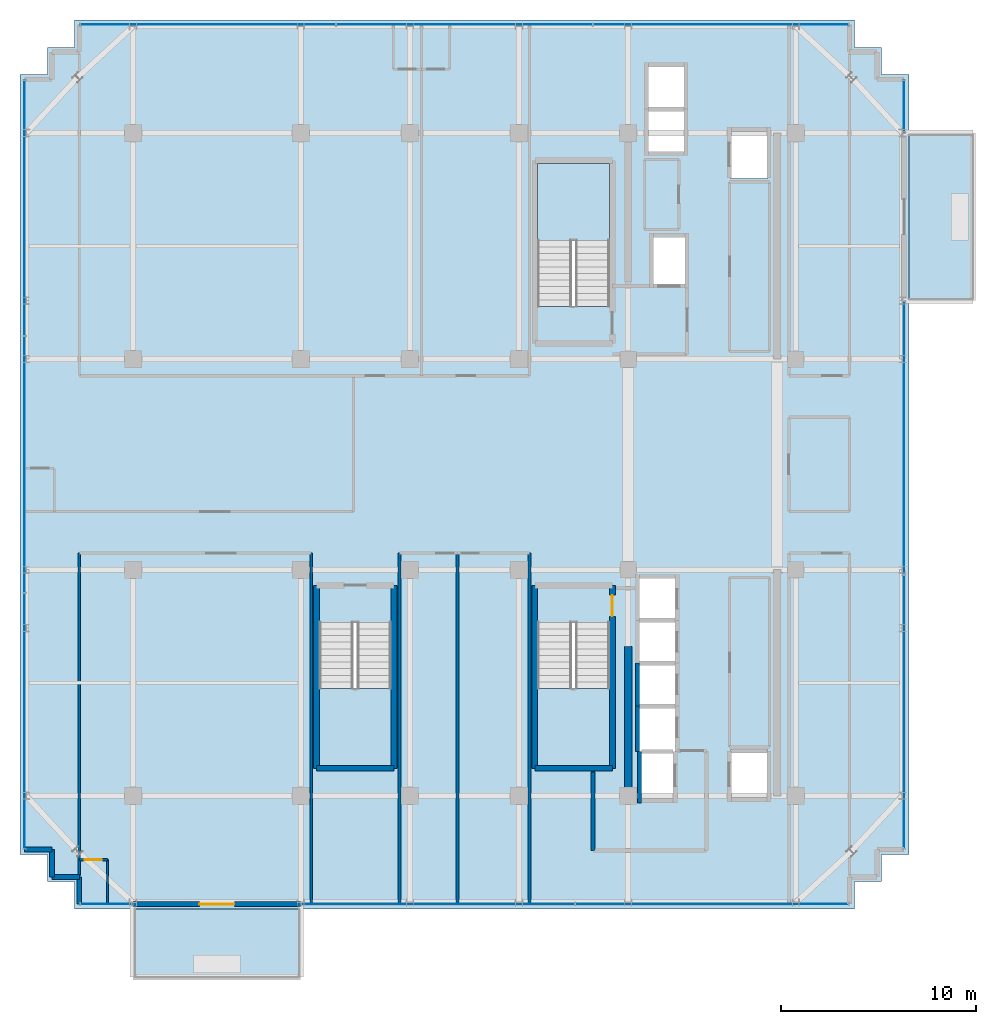
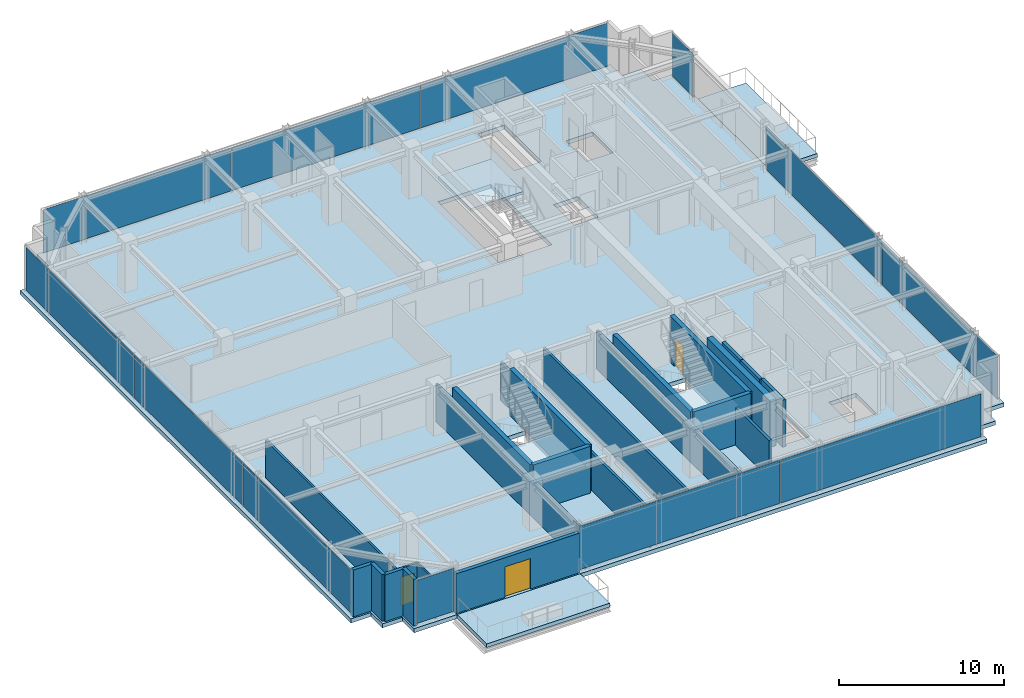
# One storey, part 26 of 32: 23 walls, 12 plates, 6 slabs, 3 doors, 3 openings, 9 elements without a shape of their own.
"""IFC4 building model written with IfcOpenShell, lengths in metres."""

import ifcopenshell
import ifcopenshell.guid

model = None  # the IFC model being written
_history = None  # IfcOwnerHistory: only IFC2X3 demands one
_inside = {}  # id of a spatial element -> (the spatial element, [elements in it])
_under = {}  # id of a project, library or spatial element -> (it, [spatial elements below it])
_declared = {}  # id of a project -> (the project, [libraries it declares])
_typed = {}  # id of a type object -> (the type object, [elements of that type])
_made_of = {}  # id of a material, layer set ... -> (it, [elements and type objects made of it])


def new_model(schema):
    """Start an empty IFC model of exactly this schema.

    Asked for "IFC4X3", IfcOpenShell would pick the latest addendum, in which some entities
    have other attributes; the version numbers below select the first issue.
    IFC2X3 requires an IfcOwnerHistory on every rooted entity: one is made here for all.
    """
    global model, _history
    if schema == "IFC4X3":
        model = ifcopenshell.file(schema_version=(4, 3, 0, 0))
    else:
        model = ifcopenshell.file(schema=schema)
    _inside.clear()
    _under.clear()
    _declared.clear()
    _typed.clear()
    _made_of.clear()
    _history = None
    if model.schema == "IFC2X3":
        org = make("IfcOrganization", Name="unknown")
        user = make(
            "IfcPersonAndOrganization",
            ThePerson=make("IfcPerson", FamilyName="unknown"),
            TheOrganization=org,
        )
        app = make(
            "IfcApplication",
            ApplicationDeveloper=org,
            Version="unknown",
            ApplicationFullName="unknown",
            ApplicationIdentifier="unknown",
        )
        _history = make(
            "IfcOwnerHistory",
            OwningUser=user,
            OwningApplication=app,
            ChangeAction="ADDED",
            CreationDate=0,
        )
    return model


def make(cls, **values):
    """One entity of the class cls with the attributes given. An attribute that is None is left unset."""
    return model.create_entity(
        cls, **{name: value for name, value in values.items() if value is not None}
    )


def rooted(cls, **values):
    """An entity with a GlobalId (a new one), such as an element, a storey or a relation."""
    return make(cls, GlobalId=ifcopenshell.guid.new(), OwnerHistory=_history, **values)


def si_unit(unit_type, name, prefix=None):
    """IfcSIUnit, for example si_unit("LENGTHUNIT", "METRE", prefix="MILLI")."""
    return make("IfcSIUnit", UnitType=unit_type, Prefix=prefix, Name=name)


def assignment(units):
    """IfcUnitAssignment: the units of a project."""
    return None if units is None else make("IfcUnitAssignment", Units=units)


def point(xyz):
    """IfcCartesianPoint."""
    return None if xyz is None else make("IfcCartesianPoint", Coordinates=xyz)


def direction(xyz):
    """IfcDirection."""
    return None if xyz is None else make("IfcDirection", DirectionRatios=xyz)


def frame(location, z_axis=None, x_axis=None):
    """IfcAxis2Placement3D, a coordinate frame: its origin and axes. An axis left out is left unset."""
    return make(
        "IfcAxis2Placement3D",
        Location=point(location),
        Axis=direction(z_axis),
        RefDirection=direction(x_axis),
    )


def frame_2d(location, x_axis=None):
    """IfcAxis2Placement2D, a coordinate frame in the plane: its origin and x axis."""
    return make(
        "IfcAxis2Placement2D", Location=point(location), RefDirection=direction(x_axis)
    )


def origin():
    """The frame at (0, 0, 0) with its axes left unset."""
    return frame((0.0, 0.0, 0.0))


def origin_2d():
    """The frame at (0, 0) in the plane with its x axis left unset."""
    return frame_2d((0.0, 0.0))


def place(relative_to, where):
    """IfcLocalPlacement: puts the frame where relative to a parent placement (None: the world)."""
    return make(
        "IfcLocalPlacement", PlacementRelTo=relative_to, RelativePlacement=where
    )


def context(
    kind, dimensions, precision=None, world=None, true_north=None, identifier=None
):
    """IfcGeometricRepresentationContext, for example the 3D "Model" context."""
    return make(
        "IfcGeometricRepresentationContext",
        ContextIdentifier=identifier,
        ContextType=kind,
        CoordinateSpaceDimension=dimensions,
        Precision=precision,
        WorldCoordinateSystem=world,
        TrueNorth=true_north,
    )


def subcontext(parent, identifier, kind, view, scale=None):
    """IfcGeometricRepresentationSubContext, for example "Body" below "Model"."""
    return make(
        "IfcGeometricRepresentationSubContext",
        ContextIdentifier=identifier,
        ContextType=kind,
        ParentContext=parent,
        TargetScale=scale,
        TargetView=view,
    )


def project(units=None, contexts=None):
    """IfcProject with its units and contexts."""
    return rooted(
        "IfcProject",
        Name="project",
        RepresentationContexts=contexts,
        UnitsInContext=assignment(units),
    )


def spatial(cls, under=None, at=None, **own):
    """A site, building, storey or space (cls), placed at a placement, below another one or the project."""
    s = rooted(cls, ObjectPlacement=at, **own)
    if under is not None:
        _under.setdefault(under.id(), (under, []))[1].append(s)
    return s


def polyline(points):
    """IfcPolyline through the points."""
    return make("IfcPolyline", Points=[point(p) for p in points])


def profile(cls, at=None, kind="AREA", **sizes):
    """A parametric profile (cls). Its sizes go by their IFC names, for example OverallWidth=200.0."""
    return make(cls, ProfileType=kind, Position=at, **sizes)


def rectangle(**sizes):
    """IfcRectangleProfileDef."""
    return profile("IfcRectangleProfileDef", **sizes)


def outline(outer, holes=None, kind="AREA"):
    """IfcArbitraryClosedProfileDef: a profile drawn as a closed curve; with holes, ...WithVoids."""
    if holes is None:
        return make("IfcArbitraryClosedProfileDef", ProfileType=kind, OuterCurve=outer)
    return make(
        "IfcArbitraryProfileDefWithVoids",
        ProfileType=kind,
        OuterCurve=outer,
        InnerCurves=holes,
    )


def extrude(swept, where, along, depth):
    """IfcExtrudedAreaSolid: the profile swept, set in the frame where, extruded along a direction by depth."""
    return make(
        "IfcExtrudedAreaSolid",
        SweptArea=swept,
        Position=where,
        ExtrudedDirection=direction(along),
        Depth=depth,
    )


def shape(context_of_items, identifier, shape_type, items):
    """IfcShapeRepresentation: the items that make up one representation, for example the "Body"."""
    return make(
        "IfcShapeRepresentation",
        ContextOfItems=context_of_items,
        RepresentationIdentifier=identifier,
        RepresentationType=shape_type,
        Items=items,
    )


def source(mapping_origin, context_of_items, identifier, shape_type, items):
    """IfcRepresentationMap: a shape defined once, which mapped items show again and again."""
    return make(
        "IfcRepresentationMap",
        MappingOrigin=mapping_origin,
        MappedRepresentation=shape(context_of_items, identifier, shape_type, items),
    )


def transform(
    local_origin,
    x_axis=None,
    y_axis=None,
    z_axis=None,
    scale=None,
    scale2=None,
    scale3=None,
    uniform=True,
):
    """IfcCartesianTransformationOperator3D, or its non-uniform kind. x_axis, y_axis, z_axis: its Axis1, 2, 3."""
    if uniform:
        return make(
            "IfcCartesianTransformationOperator3D",
            Axis1=direction(x_axis),
            Axis2=direction(y_axis),
            LocalOrigin=point(local_origin),
            Scale=scale,
            Axis3=direction(z_axis),
        )
    return make(
        "IfcCartesianTransformationOperator3DnonUniform",
        Axis1=direction(x_axis),
        Axis2=direction(y_axis),
        LocalOrigin=point(local_origin),
        Scale=scale,
        Axis3=direction(z_axis),
        Scale2=scale2,
        Scale3=scale3,
    )


def mapped(mapping_source, mapping_target):
    """IfcMappedItem: shows the shape of a source again, moved by a transform."""
    return make(
        "IfcMappedItem", MappingSource=mapping_source, MappingTarget=mapping_target
    )


def material(Name=None, Category=None):
    """IfcMaterial."""
    return make("IfcMaterial", Name=Name, Category=Category)


def layer(
    of_material, thickness, ventilated=None, Name=None, Category=None, Priority=None
):
    """IfcMaterialLayer: one layer of a wall or slab, of a material (None: an air gap)."""
    return make(
        "IfcMaterialLayer",
        Material=of_material,
        LayerThickness=thickness,
        IsVentilated=ventilated,
        Name=Name,
        Category=Category,
        Priority=Priority,
    )


def layer_set(layers, Name=None):
    """IfcMaterialLayerSet."""
    return make("IfcMaterialLayerSet", MaterialLayers=layers, LayerSetName=Name)


def made_of(thing, what):
    """Note that an element or type object is made of a material, layer set ...; save() writes the relation."""
    if what is not None:
        _made_of.setdefault(what.id(), (what, []))[1].append(thing)
    return thing


def type_object(cls, material=None, **own):
    """A type object (cls), such as IfcWallType, which elements share."""
    return made_of(rooted(cls, **own), material)


def element(
    cls,
    number,
    at=None,
    inside=None,
    cuts=None,
    type_object=None,
    material=None,
    context=None,
    identifier="Body",
    shape_type=None,
    held_by="IfcProductDefinitionShape",
    body=None,
    shapes=None,
    **own,
):
    """One element of the class cls, such as IfcWall. Its Tag is "e" and its number.

    at: its placement. inside: the storey or other place that contains it. cuts: it is an
    opening in that element (IfcRelVoidsElement). A single representation is given by context,
    identifier, shape_type and body (its items); several are given by shapes. held_by: the class
    of the entity that holds the representations. save() writes the other relations.
    """
    e = rooted(cls, Tag="e%d" % number, ObjectPlacement=at, **own)
    if body is not None:
        shapes = [shape(context, identifier, shape_type, body)]
    if shapes is not None:
        e.Representation = make(held_by, Representations=shapes)
    if inside is not None:
        _inside.setdefault(inside.id(), (inside, []))[1].append(e)
    if cuts is not None:
        rooted(
            "IfcRelVoidsElement", RelatingBuildingElement=cuts, RelatedOpeningElement=e
        )
    if type_object is not None:
        _typed.setdefault(type_object.id(), (type_object, []))[1].append(e)
    return made_of(e, material)


def fill(opening, filler):
    """IfcRelFillsElement: the door or window that sits in an opening."""
    return rooted(
        "IfcRelFillsElement",
        RelatingOpeningElement=opening,
        RelatedBuildingElement=filler,
    )


def aggregate(whole, parts):
    """IfcRelAggregates: a whole, such as a stair, and the parts it consists of."""
    return rooted("IfcRelAggregates", RelatingObject=whole, RelatedObjects=parts)


def save(model, path):
    """Write the relations noted so far, then the file.

    IfcRelAggregates (storeys below a building ...), IfcRelContainedInSpatialStructure (elements
    in a storey), IfcRelDefinesByType, IfcRelAssociatesMaterial and IfcRelDeclares: one each for
    every whole, place, type object, material and project.
    """
    for whole, parts in _under.values():
        aggregate(whole, parts)
    for where, things in _inside.values():
        rooted(
            "IfcRelContainedInSpatialStructure",
            RelatedElements=things,
            RelatingStructure=where,
        )
    for kind, things in _typed.values():
        rooted("IfcRelDefinesByType", RelatedObjects=things, RelatingType=kind)
    for what, things in _made_of.values():
        rooted("IfcRelAssociatesMaterial", RelatedObjects=things, RelatingMaterial=what)
    for by, libraries in _declared.values():
        rooted("IfcRelDeclares", RelatingContext=by, RelatedDefinitions=libraries)
    model.write(path)


model = new_model("IFC4")

# Units and contexts
model_context = context("Model", 3, precision=1e-05, world=origin(), true_north=direction((0.0, 1.0)))
body_context = subcontext(model_context, "Body", "Model", "MODEL_VIEW")
ifc_project = project(units=[si_unit("LENGTHUNIT", "METRE"), si_unit("AREAUNIT", "SQUARE_METRE"), si_unit("VOLUMEUNIT", "CUBIC_METRE"), si_unit("PLANEANGLEUNIT", "RADIAN"), si_unit("MASSUNIT", "GRAM", prefix="KILO")], contexts=[model_context])

# Site, building, storey
site_placement = place(None, origin())
site = spatial("IfcSite", under=ifc_project, at=site_placement, CompositionType="ELEMENT")
building_placement = place(site_placement, origin())
building = spatial("IfcBuilding", under=site, at=building_placement, Name="Nahalor Promenade Grand Hotel", CompositionType="ELEMENT")
storey_placement = place(building_placement, frame((0.0, 0.0, 285.050048828125)))
storey = spatial("IfcBuildingStorey", under=building, at=storey_placement, Name="L73", CompositionType="ELEMENT", Elevation=285.050048828125)

# Stair, slab
ifc_material_1 = material(Name="Concrete B-50 (C40/50)", Category="concrete")
stair_type_1 = type_object("IfcStairType", Name="Stair-ST1", PredefinedType="HALF_TURN_STAIR", material=ifc_material_1)
stair_1_placement = place(storey_placement, origin())
stair_1 = element("IfcStair", 1, at=stair_1_placement, inside=storey, type_object=stair_type_1, Name="L73 ST1", PredefinedType="HALF_TURN_STAIR")
ifc_layer_1 = layer(ifc_material_1, 0.199951171875)
ifc_layer_set_1 = layer_set([ifc_layer_1], Name="Concrete B-50 (C40/50)")
slab_type_1 = type_object("IfcSlabType", Name="Landing-ST1", PredefinedType="LANDING", material=ifc_layer_set_1)
slab_1_placement = place(storey_placement, frame((0.0, 0.0, 1.675048828125)))
slab_1 = element("IfcSlab", 2, at=slab_1_placement, type_object=slab_type_1, Name="ST1 landing 1", PredefinedType="LANDING", context=body_context, shape_type="SweptSolid", body=[
    extrude(outline(polyline([(7.449951171875, 11.5), (7.449951171875, 15.449951171875), (3.75, 15.449951171875), (3.75, 11.5), (7.449951171875, 11.5)])), origin(), (0.0, 0.0, 1.0), 0.199951171875),
])
aggregate(stair_1, [slab_1])

stair_type_2 = type_object("IfcStairType", Name="Stair-ST2", PredefinedType="HALF_TURN_STAIR", material=ifc_material_1)
stair_2_placement = place(storey_placement, origin())
stair_2 = element("IfcStair", 3, at=stair_2_placement, inside=storey, type_object=stair_type_2, Name="L73 ST2", PredefinedType="HALF_TURN_STAIR")
ifc_layer_2 = layer(ifc_material_1, 0.2099609375)
ifc_layer_set_2 = layer_set([ifc_layer_2], Name="Concrete B-50 (C40/50)")
slab_type_2 = type_object("IfcSlabType", Name="Landing-ST2", PredefinedType="LANDING", material=ifc_layer_set_2)
slab_2_placement = place(storey_placement, frame((0.0, 0.0, 1.6650390625)))
slab_2 = element("IfcSlab", 4, at=slab_2_placement, type_object=slab_type_2, Name="ST2 landing 1", PredefinedType="LANDING", context=body_context, shape_type="SweptSolid", body=[
    extrude(outline(polyline([(3.75, -11.5), (3.75, -15.449951171875), (7.449951171875, -15.449951171875), (7.449951171875, -11.5), (3.75, -11.5)])), origin(), (0.0, 0.0, 1.0), 0.2099609375),
])
aggregate(stair_2, [slab_2])

stair_type_3 = type_object("IfcStairType", Name="Stair-ST3", PredefinedType="HALF_TURN_STAIR", material=ifc_material_1)
stair_3_placement = place(storey_placement, origin())
stair_3 = element("IfcStair", 5, at=stair_3_placement, inside=storey, type_object=stair_type_3, Name="L73 ST3", PredefinedType="HALF_TURN_STAIR")
ifc_layer_3 = layer(ifc_material_1, 0.219970703125)
ifc_layer_set_3 = layer_set([ifc_layer_3], Name="Concrete B-50 (C40/50)")
slab_type_3 = type_object("IfcSlabType", Name="Landing-ST3", PredefinedType="LANDING", material=ifc_layer_set_3)
slab_3_placement = place(storey_placement, frame((0.0, 0.0, 1.655029296875)))
slab_3 = element("IfcSlab", 6, at=slab_3_placement, type_object=slab_type_3, Name="ST3 landing 1", PredefinedType="LANDING", context=body_context, shape_type="SweptSolid", body=[
    extrude(outline(polyline([(-7.449951171875, -11.5), (-7.449951171875, -15.449951171875), (-3.75, -15.449951171875), (-3.75, -11.5), (-7.449951171875, -11.5)])), origin(), (0.0, 0.0, 1.0), 0.219970703125),
])
aggregate(stair_3, [slab_3])

# Slabs
ifc_layer_4 = layer(ifc_material_1, 0.280029296875)
ifc_layer_set_4 = layer_set([ifc_layer_4], Name="Concrete B-50 (C40/50)")
slab_type_4 = type_object("IfcSlabType", Name="Slab-Balcony-280", PredefinedType="FLOOR", material=ifc_layer_set_4)
slab_4_placement = place(storey_placement, frame((0.0, 0.0, -0.280029296875)))
element("IfcSlab", 7, at=slab_4_placement, inside=storey, type_object=slab_type_4, Name="L73 Cantilevered Planted Balcony 1", PredefinedType="FLOOR", context=body_context, shape_type="SweptSolid", body=[
    extrude(outline(polyline([(-17.0, -26.3798828125), (-8.39990234375, -26.3798828125), (-8.39990234375, -22.800048828125), (-17.0, -22.800048828125), (-17.0, -26.3798828125)])), origin(), (0.0, 0.0, 1.0), 0.280029296875),
])
slab_5_placement = place(storey_placement, frame((0.0, 0.0, -0.280029296875)))
element("IfcSlab", 8, at=slab_5_placement, inside=storey, type_object=slab_type_4, Name="L73 Cantilevered Planted Balcony 2", PredefinedType="FLOOR", context=body_context, shape_type="SweptSolid", body=[
    extrude(outline(polyline([(22.800048828125, 8.39990234375), (26.159912109375, 8.39990234375), (26.159912109375, 17.0), (22.800048828125, 17.0), (22.800048828125, 8.39990234375)])), origin(), (0.0, 0.0, 1.0), 0.280029296875),
])
ifc_layer_5 = layer(ifc_material_1, 0.300048828125)
ifc_layer_set_5 = layer_set([ifc_layer_5], Name="Concrete B-50 (C40/50)")
slab_type_5 = type_object("IfcSlabType", Name="Slab-TowerZ5-300", PredefinedType="FLOOR", material=ifc_layer_set_5)
slab_6_placement = place(storey_placement, frame((0.0, 0.0, -0.300048828125)))
element("IfcSlab", 9, at=slab_6_placement, inside=storey, type_object=slab_type_5, Name="L73 Suspended Structural Floor Slab", PredefinedType="FLOOR", context=body_context, shape_type="SweptSolid", body=[
    extrude(outline(polyline([(-20.0, -22.800048828125), (20.0, -22.800048828125), (20.0, -21.39990234375), (21.39990234375, -21.39990234375), (21.39990234375, -20.0), (22.800048828125, -20.0), (22.800048828125, 20.0), (21.39990234375, 20.0), (21.39990234375, 21.39990234375), (20.0, 21.39990234375), (20.0, 22.800048828125), (-20.0, 22.800048828125), (-20.0, 21.39990234375), (-21.39990234375, 21.39990234375), (-21.39990234375, 20.0), (-22.800048828125, 20.0), (-22.800048828125, -20.0), (-21.39990234375, -20.0), (-21.39990234375, -21.39990234375), (-20.0, -21.39990234375), (-20.0, -22.800048828125)]), holes=[polyline([(3.75, 8.10009765625), (7.449951171875, 8.10009765625), (7.449951171875, 15.449951171875), (3.75, 15.449951171875), (3.75, 8.10009765625)]), polyline([(3.75, -15.449951171875), (7.449951171875, -15.449951171875), (7.449951171875, -8.10009765625), (3.75, -8.10009765625), (3.75, -15.449951171875)]), polyline([(-7.449951171875, -15.449951171875), (-3.75, -15.449951171875), (-3.75, -8.10009765625), (-7.449951171875, -8.10009765625), (-7.449951171875, -15.449951171875)]), polyline([(8.9599609375, -17.18994140625), (10.840087890625, -17.18994140625), (10.840087890625, -5.81005859375), (8.9599609375, -5.81005859375), (8.9599609375, -17.18994140625)]), polyline([(9.409912109375, 16.010009765625), (11.2900390625, 16.010009765625), (11.2900390625, 20.43994140625), (9.409912109375, 20.43994140625), (9.409912109375, 16.010009765625)]), polyline([(9.659912109375, 9.2099609375), (11.340087890625, 9.2099609375), (11.340087890625, 11.68994140625), (9.659912109375, 11.68994140625), (9.659912109375, 9.2099609375)]), polyline([(13.659912109375, 14.659912109375), (15.5400390625, 14.659912109375), (15.5400390625, 17.139892578125), (13.659912109375, 17.139892578125), (13.659912109375, 14.659912109375)]), polyline([(13.659912109375, -17.139892578125), (15.5400390625, -17.139892578125), (15.5400390625, -14.659912109375), (13.659912109375, -14.659912109375), (13.659912109375, -17.139892578125)])]), origin(), (0.0, 0.0, 1.0), 0.300048828125),
])

# Curtain wall, plate
ifc_material_2 = material(Name="Anodised Bronze Aluminium EN AW-6063 T6", Category="aluminium")
curtain_wall_type = type_object("IfcCurtainWallType", Name="CW2 Typical Hotel Flush Bronze Unitised Curtain Wall", PredefinedType="USERDEFINED", material=ifc_material_2)
curtain_wall_1_placement = place(storey_placement, origin())
curtain_wall_1 = element("IfcCurtainWall", 10, at=curtain_wall_1_placement, inside=storey, type_object=curtain_wall_type, Name="L73 Curtain Wall CW-L73-N-1", ObjectType="UNITISED_CURTAIN_WALL", PredefinedType="USERDEFINED")
ifc_material_3 = material(Name="Low-E Laminated Solar Glass", Category="glass")
ifc_layer_6 = layer(ifc_material_3, 0.028076171875)
ifc_layer_set_6 = layer_set([ifc_layer_6], Name="Low-E Laminated Solar Glass")
plate_type = type_object("IfcPlateType", Name="CWP2 Bronze Low-E Vision IGU 28mm", PredefinedType="CURTAIN_PANEL", material=ifc_layer_set_6)
shared_shape_1 = source(origin(), body_context, "Body", "SweptSolid", [
    extrude(rectangle(XDim=13.1083984375, YDim=0.028076171875, at=origin_2d()), origin(), (0.0, 0.0, 1.0), 3.18994140625),
])
plate_1_placement = place(storey_placement, frame((0.0, 22.56005859375, 0.1298828125), z_axis=(0.0, 0.0, 1.0), x_axis=(1.0, 0.0, 0.0)))
plate_1 = element("IfcPlate", 11, at=plate_1_placement, type_object=plate_type, Name="CW-L73-N-1 Glazing Panel 1-0", PredefinedType="CURTAIN_PANEL", context=body_context, shape_type="MappedRepresentation", body=[
    mapped(shared_shape_1, transform((0.0, 0.0, 0.0), scale=1.0)),
])

curtain_wall_2_placement = place(storey_placement, origin())
curtain_wall_2 = element("IfcCurtainWall", 12, at=curtain_wall_2_placement, inside=storey, type_object=curtain_wall_type, Name="L73 Curtain Wall CW-L73-W-1", ObjectType="UNITISED_CURTAIN_WALL", PredefinedType="USERDEFINED")
plate_2_placement = place(storey_placement, frame((-22.56005859375, 0.0, 0.1298828125), z_axis=(0.0, 0.0, 1.0), x_axis=(0.0, 1.0, 0.0)))
plate_2 = element("IfcPlate", 13, at=plate_2_placement, type_object=plate_type, Name="CW-L73-W-1 Glazing Panel 1-0", PredefinedType="CURTAIN_PANEL", context=body_context, shape_type="MappedRepresentation", body=[
    mapped(shared_shape_1, transform((0.0, 0.0, 0.0), scale=1.0)),
])

curtain_wall_3_placement = place(storey_placement, origin())
curtain_wall_3 = element("IfcCurtainWall", 14, at=curtain_wall_3_placement, inside=storey, type_object=curtain_wall_type, Name="L73 Curtain Wall CW-L73-S-1", ObjectType="UNITISED_CURTAIN_WALL", PredefinedType="USERDEFINED")
shared_shape_2 = source(origin(), body_context, "Body", "SweptSolid", [
    extrude(rectangle(XDim=2.6298828125, YDim=0.028076171875, at=origin_2d()), origin(), (0.0, 0.0, 1.0), 3.18994140625),
])
plate_3_placement = place(storey_placement, frame((-18.3798828125, -22.56005859375, 0.1298828125), z_axis=(0.0, 0.0, 1.0), x_axis=(1.0, 0.0, 0.0)))
plate_3 = element("IfcPlate", 15, at=plate_3_placement, type_object=plate_type, Name="CW-L73-S-1 Glazing Panel 0-0", PredefinedType="CURTAIN_PANEL", context=body_context, shape_type="MappedRepresentation", body=[
    mapped(shared_shape_2, transform((0.0, 0.0, 0.0), scale=1.0)),
])
aggregate(curtain_wall_3, [plate_3])

curtain_wall_4_placement = place(storey_placement, origin())
curtain_wall_4 = element("IfcCurtainWall", 16, at=curtain_wall_4_placement, inside=storey, type_object=curtain_wall_type, Name="L73 Curtain Wall CW-L73-E-3", ObjectType="UNITISED_CURTAIN_WALL", PredefinedType="USERDEFINED")
plate_4_placement = place(storey_placement, frame((22.56005859375, 18.3798828125, 0.1298828125), z_axis=(0.0, 0.0, 1.0), x_axis=(0.0, 1.0, 0.0)))
plate_4 = element("IfcPlate", 17, at=plate_4_placement, type_object=plate_type, Name="CW-L73-E-3 Glazing Panel 0-0", PredefinedType="CURTAIN_PANEL", context=body_context, shape_type="MappedRepresentation", body=[
    mapped(shared_shape_2, transform((0.0, 0.0, 0.0), scale=1.0)),
])
aggregate(curtain_wall_4, [plate_4])

# Curtain wall, plates
curtain_wall_5_placement = place(storey_placement, origin())
curtain_wall_5 = element("IfcCurtainWall", 18, at=curtain_wall_5_placement, inside=storey, type_object=curtain_wall_type, Name="L73 Curtain Wall CW-L73-S-3", ObjectType="UNITISED_CURTAIN_WALL", PredefinedType="USERDEFINED")
shared_shape_3 = source(origin(), body_context, "Body", "SweptSolid", [
    extrude(rectangle(XDim=13.982421875, YDim=0.028076171875, at=origin_2d()), origin(), (0.0, 0.0, 1.0), 3.18994140625),
])
plate_5_placement = place(storey_placement, frame((-1.34375, -22.56005859375, 0.1298828125), z_axis=(0.0, 0.0, 1.0), x_axis=(1.0, 0.0, 0.0)))
plate_5 = element("IfcPlate", 19, at=plate_5_placement, type_object=plate_type, Name="CW-L73-S-3 Glazing Panel 0-0", PredefinedType="CURTAIN_PANEL", context=body_context, shape_type="MappedRepresentation", body=[
    mapped(shared_shape_3, transform((0.0, 0.0, 0.0), scale=1.0)),
])
plate_6_placement = place(storey_placement, frame((12.703857421875, -22.56005859375, 0.1298828125), z_axis=(0.0, 0.0, 1.0), x_axis=(1.0, 0.0, 0.0)))
plate_6 = element("IfcPlate", 20, at=plate_6_placement, type_object=plate_type, Name="CW-L73-S-3 Glazing Panel 1-0", PredefinedType="CURTAIN_PANEL", context=body_context, shape_type="MappedRepresentation", body=[
    mapped(shared_shape_3, transform((0.0, 0.0, 0.0), scale=1.0)),
])
aggregate(curtain_wall_5, [plate_5, plate_6])

curtain_wall_6_placement = place(storey_placement, origin())
curtain_wall_6 = element("IfcCurtainWall", 21, at=curtain_wall_6_placement, inside=storey, type_object=curtain_wall_type, Name="L73 Curtain Wall CW-L73-E-1", ObjectType="UNITISED_CURTAIN_WALL", PredefinedType="USERDEFINED")
plate_7_placement = place(storey_placement, frame((22.56005859375, -12.703857421875, 0.1298828125), z_axis=(0.0, 0.0, 1.0), x_axis=(0.0, 1.0, 0.0)))
plate_7 = element("IfcPlate", 22, at=plate_7_placement, type_object=plate_type, Name="CW-L73-E-1 Glazing Panel 0-0", PredefinedType="CURTAIN_PANEL", context=body_context, shape_type="MappedRepresentation", body=[
    mapped(shared_shape_3, transform((0.0, 0.0, 0.0), scale=1.0)),
])
plate_8_placement = place(storey_placement, frame((22.56005859375, 1.34375, 0.1298828125), z_axis=(0.0, 0.0, 1.0), x_axis=(0.0, 1.0, 0.0)))
plate_8 = element("IfcPlate", 23, at=plate_8_placement, type_object=plate_type, Name="CW-L73-E-1 Glazing Panel 1-0", PredefinedType="CURTAIN_PANEL", context=body_context, shape_type="MappedRepresentation", body=[
    mapped(shared_shape_3, transform((0.0, 0.0, 0.0), scale=1.0)),
])
aggregate(curtain_wall_6, [plate_7, plate_8])

# Plate
shared_shape_4 = source(origin(), body_context, "Body", "SweptSolid", [
    extrude(rectangle(XDim=13.075927734375, YDim=0.028076171875, at=origin_2d()), origin(), (0.0, 0.0, 1.0), 3.18994140625),
])
plate_9_placement = place(storey_placement, frame((-13.156982421875, 22.56005859375, 0.1298828125), z_axis=(0.0, 0.0, 1.0), x_axis=(1.0, 0.0, 0.0)))
plate_9 = element("IfcPlate", 24, at=plate_9_placement, type_object=plate_type, Name="CW-L73-N-1 Glazing Panel 0-0", PredefinedType="CURTAIN_PANEL", context=body_context, shape_type="MappedRepresentation", body=[
    mapped(shared_shape_4, transform((0.0, 0.0, 0.0), scale=1.0)),
])

plate_10_placement = place(storey_placement, frame((13.156982421875, 22.56005859375, 0.1298828125), z_axis=(0.0, 0.0, 1.0), x_axis=(1.0, 0.0, 0.0)))
plate_10 = element("IfcPlate", 25, at=plate_10_placement, type_object=plate_type, Name="CW-L73-N-1 Glazing Panel 2-0", PredefinedType="CURTAIN_PANEL", context=body_context, shape_type="MappedRepresentation", body=[
    mapped(shared_shape_4, transform((0.0, 0.0, 0.0), scale=1.0)),
])

aggregate(curtain_wall_1, [plate_9, plate_1, plate_10])

plate_11_placement = place(storey_placement, frame((-22.56005859375, -13.156982421875, 0.1298828125), z_axis=(0.0, 0.0, 1.0), x_axis=(0.0, 1.0, 0.0)))
plate_11 = element("IfcPlate", 26, at=plate_11_placement, type_object=plate_type, Name="CW-L73-W-1 Glazing Panel 0-0", PredefinedType="CURTAIN_PANEL", context=body_context, shape_type="MappedRepresentation", body=[
    mapped(shared_shape_4, transform((0.0, 0.0, 0.0), scale=1.0)),
])

plate_12_placement = place(storey_placement, frame((-22.56005859375, 13.156982421875, 0.1298828125), z_axis=(0.0, 0.0, 1.0), x_axis=(0.0, 1.0, 0.0)))
plate_12 = element("IfcPlate", 27, at=plate_12_placement, type_object=plate_type, Name="CW-L73-W-1 Glazing Panel 2-0", PredefinedType="CURTAIN_PANEL", context=body_context, shape_type="MappedRepresentation", body=[
    mapped(shared_shape_4, transform((0.0, 0.0, 0.0), scale=1.0)),
])

aggregate(curtain_wall_2, [plate_11, plate_2, plate_12])

# Walls
ifc_layer_7 = layer(ifc_material_1, 0.39990234375)
ifc_layer_set_7 = layer_set([ifc_layer_7], Name="Concrete B-50 (C40/50)")
wall_type_1 = type_object("IfcWallType", Name="Wall-CoreShear-400", PredefinedType="SHEAR", material=ifc_layer_set_7)
shared_shape_5 = source(origin(), body_context, "Body", "SweptSolid", [
    extrude(rectangle(XDim=7.64990234375, YDim=0.39990234375, at=frame_2d((3.824951171875, 0.0))), origin(), (0.0, 0.0, 1.0), 3.449951171875),
])
wall_1_placement = place(storey_placement, frame((8.39990234375, -17.0, 0.0), z_axis=(0.0, 0.0, 1.0), x_axis=(0.0, 1.0, 0.0)))
element("IfcWall", 28, at=wall_1_placement, inside=storey, type_object=wall_type_1, Name="CWALL-L73-SW", PredefinedType="SHEAR", context=body_context, shape_type="MappedRepresentation", body=[
    mapped(shared_shape_5, transform((0.0, 0.0, 0.0), scale=1.0)),
])
ifc_layer_8 = layer(ifc_material_1, 0.300048828125)
ifc_layer_set_8 = layer_set([ifc_layer_8], Name="Concrete B-50 (C40/50)")
wall_type_2 = type_object("IfcWallType", Name="Wall-ShaftShear-300", PredefinedType="SHEAR", material=ifc_layer_set_8)
shared_shape_6 = source(origin(), body_context, "Body", "SweptSolid", [
    extrude(rectangle(XDim=3.97998046875, YDim=0.300048828125, at=frame_2d((1.989990234375, 0.0))), origin(), (0.0, 0.0, 1.0), 3.449951171875),
])
for number, where, z_axis, x_axis, name in (
    (29, (3.610107421875, -15.590087890625, 0.0), (0.0, 0.0, 1.0), (1.0, 0.0, 0.0), "L73 Exit Stair ST2 Shaft Wall S"),
    (30, (-7.590087890625, -15.590087890625, 0.0), (0.0, 0.0, 1.0), (1.0, 0.0, 0.0), "L73 Exit Stair ST3 Shaft Wall S"),
):
    element("IfcWall", number, at=place(storey_placement, frame(where, z_axis=z_axis, x_axis=x_axis)), inside=storey, type_object=wall_type_2, Name=name, PredefinedType="SHEAR", context=body_context, shape_type="MappedRepresentation", body=[
        mapped(shared_shape_6, transform((0.0, 0.0, 0.0), scale=1.0)),
    ])
shared_shape_7 = source(origin(), body_context, "Body", "SweptSolid", [
    extrude(rectangle(XDim=9.380126953125, YDim=0.300048828125, at=frame_2d((4.68994140625, 0.0))), origin(), (0.0, 0.0, 1.0), 3.449951171875),
])
wall_2_placement = place(storey_placement, frame((3.610107421875, -15.590087890625, 0.0), z_axis=(0.0, 0.0, 1.0), x_axis=(0.0, 1.0, 0.0)))
element("IfcWall", 31, at=wall_2_placement, inside=storey, type_object=wall_type_2, Name="L73 Exit Stair ST2 Shaft Wall W", PredefinedType="SHEAR", context=body_context, shape_type="MappedRepresentation", body=[
    mapped(shared_shape_7, transform((0.0, 0.0, 0.0), scale=1.0)),
])

# Wall, opening, door
wall_3_placement = place(storey_placement, frame((7.590087890625, -15.590087890625, 0.0), z_axis=(0.0, 0.0, 1.0), x_axis=(0.0, 1.0, 0.0)))
wall_3 = element("IfcWall", 32, at=wall_3_placement, inside=storey, type_object=wall_type_2, Name="L73 Exit Stair ST2 Shaft Wall E", PredefinedType="SHEAR", context=body_context, shape_type="MappedRepresentation", body=[
    mapped(shared_shape_7, transform((0.0, 0.0, 0.0), scale=1.0)),
])
opening_1_placement = place(wall_3_placement, frame((7.7900390625, 0.0, 0.0)))
opening_1 = element("IfcOpeningElement", 33, at=opening_1_placement, cuts=wall_3, Name="Opening D-ST1", PredefinedType="OPENING", context=body_context, shape_type="SweptSolid", body=[
    extrude(rectangle(XDim=1.10009765625, YDim=2.14990234375, at=frame_2d((0.550048828125, 1.074951171875))), frame((0.0, 0.159912109375, 0.0), z_axis=(0.0, -1.0, 0.0), x_axis=(1.0, 0.0, 0.0)), (0.0, 0.0, 1.0), 0.320068359375),
])
ifc_material_4 = material(Name="Steel S355JR", Category="steel")
door_type_1 = type_object("IfcDoorType", Name="Door-StairFire-1100", OperationType="NOTDEFINED", PredefinedType="DOOR", material=ifc_material_4)
shared_shape_8 = source(origin(), body_context, "Body", "SweptSolid", [
    extrude(rectangle(XDim=1.10009765625, YDim=2.14990234375, at=frame_2d((0.550048828125, 1.074951171875))), frame((0.0, 0.02490234375, 0.0), z_axis=(0.0, -1.0, 0.0), x_axis=(1.0, 0.0, 0.0)), (0.0, 0.0, 1.0), 0.050048828125),
])
door_1_placement = place(opening_1_placement, origin())
door_1 = element("IfcDoor", 34, at=door_1_placement, inside=storey, type_object=door_type_1, Name="DR-STAIR-ST2-L73", OperationType="SINGLE_SWING_RIGHT", OverallHeight=2.14990234375, OverallWidth=1.10009765625, PredefinedType="DOOR", context=body_context, shape_type="MappedRepresentation", body=[
    mapped(shared_shape_8, transform((0.0, 0.0, 0.0), scale=1.0)),
])
fill(opening_1, door_1)

# Walls
for number, where, z_axis, x_axis, name in (
    (35, (-7.590087890625, -15.590087890625, 0.0), (0.0, 0.0, 1.0), (0.0, 1.0, 0.0), "L73 Exit Stair ST3 Shaft Wall W"),
    (36, (-3.610107421875, -15.590087890625, 0.0), (0.0, 0.0, 1.0), (0.0, 1.0, 0.0), "L73 Exit Stair ST3 Shaft Wall E"),
):
    element("IfcWall", number, at=place(storey_placement, frame(where, z_axis=z_axis, x_axis=x_axis)), inside=storey, type_object=wall_type_2, Name=name, PredefinedType="SHEAR", context=body_context, shape_type="MappedRepresentation", body=[
        mapped(shared_shape_7, transform((0.0, 0.0, 0.0), scale=1.0)),
    ])
ifc_layer_9 = layer(ifc_material_1, 0.219970703125)
ifc_layer_set_9 = layer_set([ifc_layer_9], Name="Concrete B-50 (C40/50)")
wall_type_3 = type_object("IfcWallType", Name="Wall-LiftShaft-220", PredefinedType="SHEAR", material=ifc_layer_set_9)
shared_shape_9 = source(origin(), body_context, "Body", "SweptSolid", [
    extrude(rectangle(XDim=2.199951171875, YDim=0.219970703125, at=frame_2d((1.10009765625, 0.0))), origin(), (0.0, 0.0, 1.0), 3.449951171875),
])
wall_4_placement = place(storey_placement, frame((8.8798828125, -12.39990234375, 0.0), z_axis=(0.0, 0.0, 1.0), x_axis=(0.0, 1.0, 0.0)))
element("IfcWall", 37, at=wall_4_placement, inside=storey, type_object=wall_type_3, Name="L73 Lift PL11 Hoistway Wall W", PredefinedType="SHEAR", context=body_context, shape_type="MappedRepresentation", body=[
    mapped(shared_shape_9, transform((0.0, 0.0, 0.0), scale=1.0)),
])
shared_shape_10 = source(origin(), body_context, "Body", "SweptSolid", [
    extrude(rectangle(XDim=2.3251953125, YDim=0.219970703125, at=frame_2d((1.16259765625, 0.0))), origin(), (0.0, 0.0, 1.0), 3.449951171875),
])
wall_5_placement = place(storey_placement, frame((8.8798828125, -14.72509765625, 0.0), z_axis=(0.0, 0.0, 1.0), x_axis=(0.0, 1.0, 0.0)))
element("IfcWall", 38, at=wall_5_placement, inside=storey, type_object=wall_type_3, Name="L73 Lift PL12 Hoistway Wall W", PredefinedType="SHEAR", context=body_context, shape_type="MappedRepresentation", body=[
    mapped(shared_shape_10, transform((0.0, 0.0, 0.0), scale=1.0)),
])
shared_shape_11 = source(origin(), body_context, "Body", "SweptSolid", [
    extrude(rectangle(XDim=2.635009765625, YDim=0.219970703125, at=frame_2d((1.3173828125, 0.0))), origin(), (0.0, 0.0, 1.0), 3.449951171875),
])
wall_6_placement = place(storey_placement, frame((8.97998046875, -17.360107421875, 0.0), z_axis=(0.0, 0.0, 1.0), x_axis=(0.0, 1.0, 0.0)))
element("IfcWall", 39, at=wall_6_placement, inside=storey, type_object=wall_type_3, Name="L73 Lift FL2 Hoistway Wall W", PredefinedType="SHEAR", context=body_context, shape_type="MappedRepresentation", body=[
    mapped(shared_shape_11, transform((0.0, 0.0, 0.0), scale=1.0)),
])
ifc_material_5 = material(Name="Concrete B-40 (C32/40)", Category="concrete")
ifc_layer_10 = layer(ifc_material_5, 0.25)
ifc_layer_set_10 = layer_set([ifc_layer_10], Name="Concrete B-40 (C32/40)")
wall_type_4 = type_object("IfcWallType", Name="Wall-BronzePier-250", PredefinedType="STANDARD", material=ifc_layer_set_10)
shared_shape_12 = source(origin(), body_context, "Body", "SweptSolid", [
    extrude(rectangle(XDim=1.400146484375, YDim=0.25, at=frame_2d((0.7001953125, 0.0))), origin(), (0.0, 0.0, 1.0), 3.449951171875),
])
for number, where, z_axis, x_axis, name in (
    (40, (-22.56005859375, -19.760009765625, 0.0), (0.0, 0.0, 1.0), (1.0, 0.0, 0.0), "W-L73-SR-13"),
    (41, (-19.760009765625, -22.56005859375, 0.0), (0.0, 0.0, 1.0), (0.0, 1.0, 0.0), "W-L73-SR-16"),
):
    element("IfcWall", number, at=place(storey_placement, frame(where, z_axis=z_axis, x_axis=x_axis)), inside=storey, type_object=wall_type_4, Name=name, PredefinedType="STANDARD", context=body_context, shape_type="MappedRepresentation", body=[
        mapped(shared_shape_12, transform((0.0, 0.0, 0.0), scale=1.0)),
    ])
shared_shape_13 = source(origin(), body_context, "Body", "SweptSolid", [
    extrude(rectangle(XDim=1.39990234375, YDim=0.25, at=frame_2d((0.699951171875, 0.0))), origin(), (0.0, 0.0, 1.0), 3.449951171875),
])
for number, where, z_axis, x_axis, name in (
    (42, (-21.159912109375, -21.159912109375, 0.0), (0.0, 0.0, 1.0), (0.0, 1.0, 0.0), "W-L73-SR-14"),
    (43, (-21.159912109375, -21.159912109375, 0.0), (0.0, 0.0, 1.0), (1.0, 0.0, 0.0), "W-L73-SR-15"),
):
    element("IfcWall", number, at=place(storey_placement, frame(where, z_axis=z_axis, x_axis=x_axis)), inside=storey, type_object=wall_type_4, Name=name, PredefinedType="STANDARD", context=body_context, shape_type="MappedRepresentation", body=[
        mapped(shared_shape_13, transform((0.0, 0.0, 0.0), scale=1.0)),
    ])

# Wall, opening, door
ifc_layer_11 = layer(ifc_material_5, 0.260009765625)
ifc_layer_set_11 = layer_set([ifc_layer_11], Name="Concrete B-40 (C32/40)")
wall_type_5 = type_object("IfcWallType", Name="Wall-BalconyWall-260", PredefinedType="STANDARD", material=ifc_layer_set_11)
shared_shape_14 = source(origin(), body_context, "Body", "SweptSolid", [
    extrude(rectangle(XDim=8.60009765625, YDim=0.260009765625, at=frame_2d((4.300048828125, 0.0))), origin(), (0.0, 0.0, 1.0), 2.929931640625),
])
wall_7_placement = place(storey_placement, frame((-17.0, -22.56005859375, 0.0), z_axis=(0.0, 0.0, 1.0), x_axis=(1.0, 0.0, 0.0)))
wall_7 = element("IfcWall", 44, at=wall_7_placement, inside=storey, type_object=wall_type_5, Name="W-L73-BALC-S-2", PredefinedType="STANDARD", context=body_context, shape_type="MappedRepresentation", body=[
    mapped(shared_shape_14, transform((0.0, 0.0, 0.0), scale=1.0)),
])
opening_2_placement = place(wall_7_placement, frame((3.39990234375, 0.0, 0.0)))
opening_2 = element("IfcOpeningElement", 45, at=opening_2_placement, cuts=wall_7, Name="Opening D-BC1", PredefinedType="OPENING", context=body_context, shape_type="SweptSolid", body=[
    extrude(rectangle(XDim=1.800048828125, YDim=2.25, at=frame_2d((0.89990234375, 1.125))), frame((0.0, 0.139892578125, 0.0), z_axis=(0.0, -1.0, 0.0), x_axis=(1.0, 0.0, 0.0)), (0.0, 0.0, 1.0), 0.280029296875),
])
door_type_2 = type_object("IfcDoorType", Name="Door-BalconySlide-1800", OperationType="DOUBLE_DOOR_SLIDING", PredefinedType="DOOR", material=ifc_material_2)
shared_shape_15 = source(origin(), body_context, "Body", "SweptSolid", [
    extrude(rectangle(XDim=1.800048828125, YDim=2.25, at=frame_2d((0.89990234375, 1.125))), frame((0.0, 0.02490234375, 0.0), z_axis=(0.0, -1.0, 0.0), x_axis=(1.0, 0.0, 0.0)), (0.0, 0.0, 1.0), 0.050048828125),
])
door_2_placement = place(opening_2_placement, frame((1.800048828125, 0.0, 0.0), z_axis=(0.0, 0.0, 1.0), x_axis=(-1.0, 0.0, 0.0)))
door_2 = element("IfcDoor", 46, at=door_2_placement, inside=storey, type_object=door_type_2, Name="DR-L73-BALC-S-2", OperationType="DOUBLE_DOOR_SLIDING", OverallHeight=2.25, OverallWidth=1.800048828125, PredefinedType="DOOR", context=body_context, shape_type="MappedRepresentation", body=[
    mapped(shared_shape_15, transform((0.0, 0.0, 0.0), scale=1.0)),
])
fill(opening_2, door_2)

# Walls
ifc_layer_12 = layer(ifc_material_5, 0.199951171875)
ifc_layer_set_12 = layer_set([ifc_layer_12], Name="Concrete B-40 (C32/40)")
wall_type_6 = type_object("IfcWallType", Name="Wall-PartFire-200", PredefinedType="PARTITIONING", material=ifc_layer_set_12)
shared_shape_16 = source(origin(), body_context, "Body", "SweptSolid", [
    extrude(rectangle(XDim=4.030029296875, YDim=0.199951171875, at=frame_2d((2.01513671875, 0.0))), origin(), (0.0, 0.0, 1.0), 2.7900390625),
])
wall_8_placement = place(storey_placement, frame((6.60009765625, -19.800048828125, 0.0), z_axis=(0.0, 0.0, 1.0), x_axis=(0.0, 1.0, 0.0)))
element("IfcWall", 47, at=wall_8_placement, inside=storey, type_object=wall_type_6, Name="W-L73-FF2-W1", PredefinedType="PARTITIONING", context=body_context, shape_type="MappedRepresentation", body=[
    mapped(shared_shape_16, transform((0.0, 0.0, 0.0), scale=1.0)),
])
ifc_material_6 = material(Name="Acoustic Mineral Gypsum", Category="gypsum")
ifc_layer_13 = layer(ifc_material_6, 0.159912109375)
ifc_layer_set_13 = layer_set([ifc_layer_13], Name="Acoustic Mineral Gypsum")
wall_type_7 = type_object("IfcWallType", Name="Wall-PartCorridor-160", PredefinedType="PARTITIONING", material=ifc_layer_set_13)
shared_shape_17 = source(origin(), body_context, "Body", "SweptSolid", [
    extrude(rectangle(XDim=17.949951171875, YDim=0.159912109375, at=frame_2d((8.97509765625, 0.0))), origin(), (0.0, 0.0, 1.0), 2.7900390625),
])
for number, where, z_axis, x_axis, name in (
    (48, (-3.340087890625, -22.5, 0.0), (0.0, 0.0, 1.0), (0.0, 1.0, 0.0), "W-L73-SCB1-W"),
    (49, (-0.35009765625, -22.5, 0.0), (0.0, 0.0, 1.0), (0.0, 1.0, 0.0), "W-L73-SCB1-E"),
    (50, (3.340087890625, -22.5, 0.0), (0.0, 0.0, 1.0), (0.0, 1.0, 0.0), "W-L73-SCB2-E"),
):
    element("IfcWall", number, at=place(storey_placement, frame(where, z_axis=z_axis, x_axis=x_axis)), inside=storey, type_object=wall_type_7, Name=name, PredefinedType="PARTITIONING", context=body_context, shape_type="MappedRepresentation", body=[
        mapped(shared_shape_17, transform((0.0, 0.0, 0.0), scale=1.0)),
    ])
ifc_layer_14 = layer(ifc_material_6, 0.139892578125)
ifc_layer_set_14 = layer_set([ifc_layer_14], Name="Acoustic Mineral Gypsum")
wall_type_8 = type_object("IfcWallType", Name="Wall-PartSuite-140", PredefinedType="PARTITIONING", material=ifc_layer_set_14)
shared_shape_18 = source(origin(), body_context, "Body", "SweptSolid", [
    extrude(rectangle(XDim=16.530029296875, YDim=0.139892578125, at=frame_2d((8.26513671875, 0.0))), origin(), (0.0, 0.0, 1.0), 2.7900390625),
])
wall_9_placement = place(storey_placement, frame((-19.760009765625, -21.080078125, 0.0), z_axis=(0.0, 0.0, 1.0), x_axis=(0.0, 1.0, 0.0)))
element("IfcWall", 51, at=wall_9_placement, inside=storey, type_object=wall_type_8, Name="W-L73-SW-ENDW", PredefinedType="PARTITIONING", context=body_context, shape_type="MappedRepresentation", body=[
    mapped(shared_shape_18, transform((0.0, 0.0, 0.0), scale=1.0)),
])
shared_shape_19 = source(origin(), body_context, "Body", "SweptSolid", [
    extrude(rectangle(XDim=17.949951171875, YDim=0.139892578125, at=frame_2d((8.97509765625, 0.0))), origin(), (0.0, 0.0, 1.0), 2.7900390625),
])
wall_10_placement = place(storey_placement, frame((-7.860107421875, -22.5, 0.0), z_axis=(0.0, 0.0, 1.0), x_axis=(0.0, 1.0, 0.0)))
element("IfcWall", 52, at=wall_10_placement, inside=storey, type_object=wall_type_8, Name="W-L73-SW-ENDE", PredefinedType="PARTITIONING", context=body_context, shape_type="MappedRepresentation", body=[
    mapped(shared_shape_19, transform((0.0, 0.0, 0.0), scale=1.0)),
])

# Wall, opening, door
ifc_layer_15 = layer(ifc_material_6, 0.1201171875)
ifc_layer_set_15 = layer_set([ifc_layer_15], Name="Acoustic Mineral Gypsum")
wall_type_9 = type_object("IfcWallType", Name="Wall-PartBath-120", PredefinedType="PARTITIONING", material=ifc_layer_set_15)
shared_shape_20 = source(origin(), body_context, "Body", "SweptSolid", [
    extrude(rectangle(XDim=1.449951171875, YDim=0.1201171875, at=frame_2d((0.72509765625, 0.0))), origin(), (0.0, 0.0, 1.0), 2.7900390625),
])
wall_11_placement = place(storey_placement, frame((-19.760009765625, -20.280029296875, 0.0), z_axis=(0.0, 0.0, 1.0), x_axis=(1.0, 0.0, 0.0)))
wall_11 = element("IfcWall", 53, at=wall_11_placement, inside=storey, type_object=wall_type_9, Name="W-L73-S1-BH", PredefinedType="PARTITIONING", context=body_context, shape_type="MappedRepresentation", body=[
    mapped(shared_shape_20, transform((0.0, 0.0, 0.0), scale=1.0)),
])
opening_3_placement = place(wall_11_placement, frame((0.284912109375, 0.0, 0.0)))
opening_3 = element("IfcOpeningElement", 54, at=opening_3_placement, cuts=wall_11, Name="Opening D-03", PredefinedType="OPENING", context=body_context, shape_type="SweptSolid", body=[
    extrude(rectangle(XDim=0.8798828125, YDim=2.10009765625, at=frame_2d((0.43994140625, 1.050048828125))), frame((0.0, 0.070068359375, 0.0), z_axis=(0.0, -1.0, 0.0), x_axis=(1.0, 0.0, 0.0)), (0.0, 0.0, 1.0), 0.14013671875),
])
ifc_material_7 = material(Name="Fire-Rated Timber Composite", Category="wood")
door_type_3 = type_object("IfcDoorType", Name="Door-BathSwing-880", OperationType="NOTDEFINED", PredefinedType="DOOR", material=ifc_material_7)
shared_shape_21 = source(origin(), body_context, "Body", "SweptSolid", [
    extrude(rectangle(XDim=0.8798828125, YDim=2.10009765625, at=frame_2d((0.43994140625, 1.050048828125))), frame((0.0, 0.02490234375, 0.0), z_axis=(0.0, -1.0, 0.0), x_axis=(1.0, 0.0, 0.0)), (0.0, 0.0, 1.0), 0.050048828125),
])
door_3_placement = place(opening_3_placement, frame((0.8798828125, 0.0, 0.0), z_axis=(0.0, 0.0, 1.0), x_axis=(-1.0, 0.0, 0.0)))
door_3 = element("IfcDoor", 55, at=door_3_placement, inside=storey, type_object=door_type_3, Name="DR-L73-S1-BATH", OperationType="SINGLE_SWING_RIGHT", OverallHeight=2.10009765625, OverallWidth=0.8798828125, PredefinedType="DOOR", context=body_context, shape_type="MappedRepresentation", body=[
    mapped(shared_shape_21, transform((0.0, 0.0, 0.0), scale=1.0)),
])
fill(opening_3, door_3)

# Wall
shared_shape_22 = source(origin(), body_context, "Body", "SweptSolid", [
    extrude(rectangle(XDim=2.219970703125, YDim=0.1201171875, at=frame_2d((1.10986328125, 0.0))), origin(), (0.0, 0.0, 1.0), 2.7900390625),
])
wall_12_placement = place(storey_placement, frame((-18.31005859375, -22.5, 0.0), z_axis=(0.0, 0.0, 1.0), x_axis=(0.0, 1.0, 0.0)))
element("IfcWall", 56, at=wall_12_placement, inside=storey, type_object=wall_type_9, Name="W-L73-S1-BV", PredefinedType="PARTITIONING", context=body_context, shape_type="MappedRepresentation", body=[
    mapped(shared_shape_22, transform((0.0, 0.0, 0.0), scale=1.0)),
])

save(model, "model.ifc")
